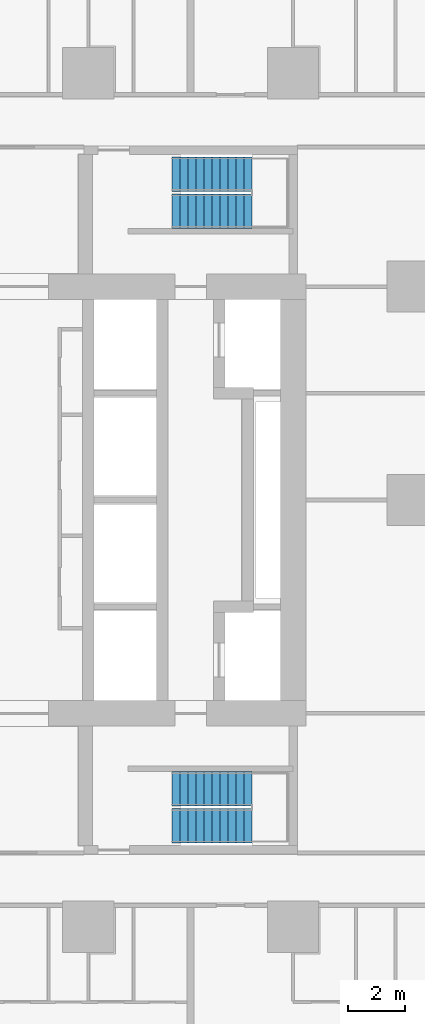
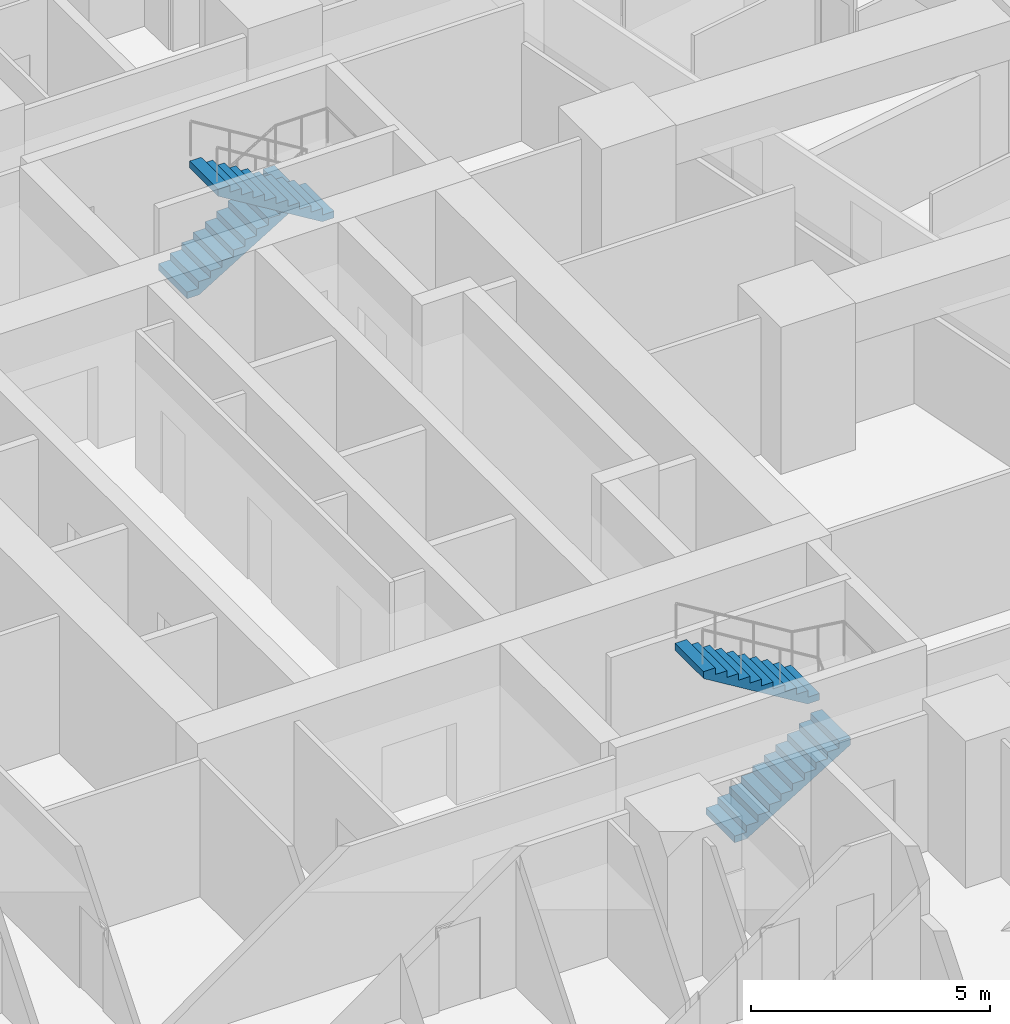
# One storey, part 15 of 18: 4 stair flights, 2 elements without a shape of their own.
"""IFC4 building model written with IfcOpenShell, lengths in metres."""

from ifc_helpers import new_model, si_unit, direction, frame, origin, place, context, subcontext, project, spatial, triangles, material, type_object, element, aggregate, save


model = new_model("IFC4")

# Units and contexts
model_context = context("Model", 3, precision=1e-05, world=origin(), true_north=direction((0.0, 1.0)))
body_context = subcontext(model_context, "Body", "Model", "MODEL_VIEW")
ifc_project = project(units=[si_unit("LENGTHUNIT", "METRE"), si_unit("AREAUNIT", "SQUARE_METRE"), si_unit("VOLUMEUNIT", "CUBIC_METRE"), si_unit("PLANEANGLEUNIT", "RADIAN"), si_unit("MASSUNIT", "GRAM", prefix="KILO")], contexts=[model_context])

# Site, building, storey
site_placement = place(None, origin())
site = spatial("IfcSite", under=ifc_project, at=site_placement, CompositionType="ELEMENT")
building_placement = place(site_placement, origin())
building = spatial("IfcBuilding", under=site, at=building_placement, Name="Sheger Commons Tower", CompositionType="ELEMENT")
storey_placement = place(building_placement, frame((0.0, 0.0, 31.25)))
storey = spatial("IfcBuildingStorey", under=building, at=storey_placement, Name="L07", CompositionType="ELEMENT", Elevation=31.25)

# Stair, stair flights
ifc_material_1 = material(Name="Concrete C35/45", Category="concrete")
stair_type = type_object("IfcStairType", Name="HALF-TURN STAIR 1200 RISE 3750", PredefinedType="HALF_TURN_STAIR", material=ifc_material_1)
stair_1_placement = place(storey_placement, origin())
stair_1 = element("IfcStair", 1, at=stair_1_placement, inside=storey, type_object=stair_type, Name="Stair S1 L07", PredefinedType="HALF_TURN_STAIR")
ifc_material_2 = material(Name="Concrete C35/45", Category="concrete")
stair_flight_type = type_object("IfcStairFlightType", Name="STAIR FLIGHT 1200 11 RISERS OF 170", PredefinedType="STRAIGHT", material=ifc_material_2)
stair_flight_1_placement = place(storey_placement, frame((24.550048828125, 11.050048828125, 0.0), z_axis=(0.0, 0.0, 1.0), x_axis=(1.0, 0.0, 0.0)))
stair_flight_1 = element("IfcStairFlight", 2, at=stair_flight_1_placement, type_object=stair_flight_type, Name="S1 flight 1", NumberOfRisers=11, NumberOfTreads=10, PredefinedType="STRAIGHT", RiserHeight=0.170454545, TreadLength=0.28, context=body_context, shape_type="Tessellation", body=[
    triangles([(0.0, 0.5999755859375, 0.0), (0.0, 0.5999755859375, 0.17041015625), (0.280029296875, 0.5999755859375, 0.17041015625), (0.280029296875, 0.5999755859375, 0.3408203125), (0.56005859375, 0.5999755859375, 0.3408203125), (0.56005859375, 0.5999755859375, 0.511474609375), (0.840087890625, 0.5999755859375, 0.511474609375), (0.840087890625, 0.5999755859375, 0.681884765625), (1.1201171875, 0.5999755859375, 0.681884765625), (1.1201171875, 0.5999755859375, 0.852294921875), (1.39990234375, 0.5999755859375, 0.852294921875), (1.39990234375, 0.5999755859375, 1.022705078125), (1.679931640625, 0.5999755859375, 1.022705078125), (1.679931640625, 0.5999755859375, 1.193115234375), (1.9599609375, 0.5999755859375, 1.193115234375), (1.9599609375, 0.5999755859375, 1.363525390625), (2.239990234375, 0.5999755859375, 1.363525390625), (2.239990234375, 0.5999755859375, 1.5341796875), (2.52001953125, 0.5999755859375, 1.5341796875), (2.52001953125, 0.5999755859375, 1.70458984375), (2.800048828125, 0.5999755859375, 1.70458984375), (2.800048828125, 0.5999755859375, 1.529052734375), (0.288330078125, 0.5999755859375, 0.0), (0.0, -0.5999755859375, 0.0), (0.0, -0.5999755859375, 0.17041015625), (0.280029296875, -0.5999755859375, 0.17041015625), (0.280029296875, -0.5999755859375, 0.3408203125), (0.56005859375, -0.5999755859375, 0.3408203125), (0.56005859375, -0.5999755859375, 0.511474609375), (0.840087890625, -0.5999755859375, 0.511474609375), (0.840087890625, -0.5999755859375, 0.681884765625), (1.1201171875, -0.5999755859375, 0.681884765625), (1.1201171875, -0.5999755859375, 0.852294921875), (1.39990234375, -0.5999755859375, 0.852294921875), (1.39990234375, -0.5999755859375, 1.022705078125), (1.679931640625, -0.5999755859375, 1.022705078125), (1.679931640625, -0.5999755859375, 1.193115234375), (1.9599609375, -0.5999755859375, 1.193115234375), (1.9599609375, -0.5999755859375, 1.363525390625), (2.239990234375, -0.5999755859375, 1.363525390625), (2.239990234375, -0.5999755859375, 1.5341796875), (2.52001953125, -0.5999755859375, 1.5341796875), (2.52001953125, -0.5999755859375, 1.70458984375), (2.800048828125, -0.5999755859375, 1.70458984375), (2.800048828125, -0.5999755859375, 1.529052734375), (0.288330078125, -0.5999755859375, 0.0), (0.0, 0.0, 0.085205078125), (0.1400146484375, 0.0, 0.17041015625), (0.280029296875, 0.0, 0.255615234375), (0.4200439453125, 0.0, 0.3408203125), (0.56005859375, 0.0, 0.4261474609375), (0.7000732421875, 0.0, 0.511474609375), (0.840087890625, 0.0, 0.5966796875), (0.9801025390625, 0.0, 0.681884765625), (1.1201171875, 0.0, 0.76708984375), (1.260009765625, 0.0, 0.852294921875), (1.39990234375, 0.0, 0.9375), (1.5399169921875, 0.0, 1.022705078125), (1.679931640625, 0.0, 1.10791015625), (1.8199462890625, 0.0, 1.193115234375), (1.9599609375, 0.0, 1.2783203125), (2.0999755859375, 0.0, 1.363525390625), (2.239990234375, 0.0, 1.4488525390625), (2.3800048828125, 0.0, 1.5341796875), (2.52001953125, 0.0, 1.619384765625), (2.6600341796875, 0.0, 1.70458984375), (2.800048828125, 0.0, 1.6168212890625), (1.544189453125, 0.0, 0.7645263671875), (0.1441650390625, 0.0, 0.0)], [[1, 22, 23], [24, 46, 45], [22, 20, 21], [45, 44, 43], [22, 19, 20], [45, 43, 42], [22, 18, 19], [45, 42, 41], [22, 17, 18], [45, 41, 40], [17, 15, 16], [40, 39, 38], [22, 15, 17], [45, 40, 38], [15, 13, 14], [38, 37, 36], [22, 13, 15], [45, 38, 36], [13, 11, 12], [36, 35, 34], [22, 11, 13], [45, 36, 34], [11, 9, 10], [34, 33, 32], [22, 9, 11], [45, 34, 32], [9, 7, 8], [32, 31, 30], [22, 7, 9], [45, 32, 30], [7, 5, 6], [30, 29, 28], [22, 5, 7], [45, 30, 28], [5, 3, 4], [28, 27, 26], [22, 3, 5], [45, 28, 26], [1, 3, 22], [24, 45, 26], [3, 1, 2], [26, 25, 24], [1, 47, 2], [2, 47, 25], [25, 47, 24], [24, 47, 1], [2, 48, 3], [3, 48, 26], [26, 48, 25], [25, 48, 2], [3, 49, 4], [4, 49, 27], [27, 49, 26], [26, 49, 3], [4, 50, 5], [5, 50, 28], [28, 50, 27], [27, 50, 4], [5, 51, 6], [6, 51, 29], [29, 51, 28], [28, 51, 5], [6, 52, 7], [7, 52, 30], [30, 52, 29], [29, 52, 6], [7, 53, 8], [8, 53, 31], [31, 53, 30], [30, 53, 7], [8, 54, 9], [9, 54, 32], [32, 54, 31], [31, 54, 8], [9, 55, 10], [10, 55, 33], [33, 55, 32], [32, 55, 9], [10, 56, 11], [11, 56, 34], [34, 56, 33], [33, 56, 10], [11, 57, 12], [12, 57, 35], [35, 57, 34], [34, 57, 11], [12, 58, 13], [13, 58, 36], [36, 58, 35], [35, 58, 12], [13, 59, 14], [14, 59, 37], [37, 59, 36], [36, 59, 13], [14, 60, 15], [15, 60, 38], [38, 60, 37], [37, 60, 14], [15, 61, 16], [16, 61, 39], [39, 61, 38], [38, 61, 15], [16, 62, 17], [17, 62, 40], [40, 62, 39], [39, 62, 16], [17, 63, 18], [18, 63, 41], [41, 63, 40], [40, 63, 17], [18, 64, 19], [19, 64, 42], [42, 64, 41], [41, 64, 18], [19, 65, 20], [20, 65, 43], [43, 65, 42], [42, 65, 19], [20, 66, 21], [21, 66, 44], [44, 66, 43], [43, 66, 20], [21, 67, 22], [22, 67, 45], [45, 67, 44], [44, 67, 21], [22, 68, 23], [23, 68, 46], [46, 68, 45], [45, 68, 22], [23, 69, 1], [1, 69, 24], [24, 69, 46], [46, 69, 23]], closed=True),
])
stair_flight_2_placement = place(storey_placement, frame((27.35009765625, 12.35009765625, 1.875), z_axis=(0.0, 0.0, 1.0), x_axis=(-1.0, 0.0, 0.0)))
stair_flight_2 = element("IfcStairFlight", 3, at=stair_flight_2_placement, type_object=stair_flight_type, Name="S1 flight 2", NumberOfRisers=11, NumberOfTreads=10, PredefinedType="STRAIGHT", RiserHeight=0.170454545, TreadLength=0.28, context=body_context, shape_type="Tessellation", body=[
    triangles([(0.0, 0.5999755859375, 0.0), (0.0, 0.5999755859375, 0.17041015625), (0.280029296875, 0.5999755859375, 0.17041015625), (0.280029296875, 0.5999755859375, 0.3408203125), (0.56005859375, 0.5999755859375, 0.3408203125), (0.56005859375, 0.5999755859375, 0.511474609375), (0.840087890625, 0.5999755859375, 0.511474609375), (0.840087890625, 0.5999755859375, 0.681884765625), (1.1201171875, 0.5999755859375, 0.681884765625), (1.1201171875, 0.5999755859375, 0.852294921875), (1.39990234375, 0.5999755859375, 0.852294921875), (1.39990234375, 0.5999755859375, 1.022705078125), (1.679931640625, 0.5999755859375, 1.022705078125), (1.679931640625, 0.5999755859375, 1.193115234375), (1.9599609375, 0.5999755859375, 1.193115234375), (1.9599609375, 0.5999755859375, 1.363525390625), (2.239990234375, 0.5999755859375, 1.363525390625), (2.239990234375, 0.5999755859375, 1.5341796875), (2.52001953125, 0.5999755859375, 1.5341796875), (2.52001953125, 0.5999755859375, 1.70458984375), (2.800048828125, 0.5999755859375, 1.70458984375), (2.800048828125, 0.5999755859375, 1.529052734375), (0.288330078125, 0.5999755859375, 0.0), (0.0, -0.5999755859375, 0.0), (0.0, -0.5999755859375, 0.17041015625), (0.280029296875, -0.5999755859375, 0.17041015625), (0.280029296875, -0.5999755859375, 0.3408203125), (0.56005859375, -0.5999755859375, 0.3408203125), (0.56005859375, -0.5999755859375, 0.511474609375), (0.840087890625, -0.5999755859375, 0.511474609375), (0.840087890625, -0.5999755859375, 0.681884765625), (1.1201171875, -0.5999755859375, 0.681884765625), (1.1201171875, -0.5999755859375, 0.852294921875), (1.39990234375, -0.5999755859375, 0.852294921875), (1.39990234375, -0.5999755859375, 1.022705078125), (1.679931640625, -0.5999755859375, 1.022705078125), (1.679931640625, -0.5999755859375, 1.193115234375), (1.9599609375, -0.5999755859375, 1.193115234375), (1.9599609375, -0.5999755859375, 1.363525390625), (2.239990234375, -0.5999755859375, 1.363525390625), (2.239990234375, -0.5999755859375, 1.5341796875), (2.52001953125, -0.5999755859375, 1.5341796875), (2.52001953125, -0.5999755859375, 1.70458984375), (2.800048828125, -0.5999755859375, 1.70458984375), (2.800048828125, -0.5999755859375, 1.529052734375), (0.288330078125, -0.5999755859375, 0.0), (0.0, 0.0, 0.085205078125), (0.1400146484375, 0.0, 0.17041015625), (0.280029296875, 0.0, 0.255615234375), (0.4200439453125, 0.0, 0.3408203125), (0.56005859375, 0.0, 0.4261474609375), (0.7000732421875, 0.0, 0.511474609375), (0.840087890625, 0.0, 0.5966796875), (0.9801025390625, 0.0, 0.681884765625), (1.1201171875, 0.0, 0.76708984375), (1.260009765625, 0.0, 0.852294921875), (1.39990234375, 0.0, 0.9375), (1.5399169921875, 0.0, 1.022705078125), (1.679931640625, 0.0, 1.10791015625), (1.8199462890625, 0.0, 1.193115234375), (1.9599609375, 0.0, 1.2783203125), (2.0999755859375, 0.0, 1.363525390625), (2.239990234375, 0.0, 1.4488525390625), (2.3800048828125, 0.0, 1.5341796875), (2.52001953125, 0.0, 1.619384765625), (2.6600341796875, 0.0, 1.70458984375), (2.800048828125, 0.0, 1.6168212890625), (1.544189453125, 0.0, 0.7645263671875), (0.1441650390625, 0.0, 0.0)], [[1, 22, 23], [24, 46, 45], [22, 20, 21], [45, 44, 43], [22, 19, 20], [45, 43, 42], [22, 18, 19], [45, 42, 41], [22, 17, 18], [45, 41, 40], [17, 15, 16], [40, 39, 38], [22, 15, 17], [45, 40, 38], [15, 13, 14], [38, 37, 36], [22, 13, 15], [45, 38, 36], [13, 11, 12], [36, 35, 34], [22, 11, 13], [45, 36, 34], [11, 9, 10], [34, 33, 32], [22, 9, 11], [45, 34, 32], [9, 7, 8], [32, 31, 30], [22, 7, 9], [45, 32, 30], [7, 5, 6], [30, 29, 28], [22, 5, 7], [45, 30, 28], [5, 3, 4], [28, 27, 26], [22, 3, 5], [45, 28, 26], [1, 3, 22], [24, 45, 26], [3, 1, 2], [26, 25, 24], [1, 47, 2], [2, 47, 25], [25, 47, 24], [24, 47, 1], [2, 48, 3], [3, 48, 26], [26, 48, 25], [25, 48, 2], [3, 49, 4], [4, 49, 27], [27, 49, 26], [26, 49, 3], [4, 50, 5], [5, 50, 28], [28, 50, 27], [27, 50, 4], [5, 51, 6], [6, 51, 29], [29, 51, 28], [28, 51, 5], [6, 52, 7], [7, 52, 30], [30, 52, 29], [29, 52, 6], [7, 53, 8], [8, 53, 31], [31, 53, 30], [30, 53, 7], [8, 54, 9], [9, 54, 32], [32, 54, 31], [31, 54, 8], [9, 55, 10], [10, 55, 33], [33, 55, 32], [32, 55, 9], [10, 56, 11], [11, 56, 34], [34, 56, 33], [33, 56, 10], [11, 57, 12], [12, 57, 35], [35, 57, 34], [34, 57, 11], [12, 58, 13], [13, 58, 36], [36, 58, 35], [35, 58, 12], [13, 59, 14], [14, 59, 37], [37, 59, 36], [36, 59, 13], [14, 60, 15], [15, 60, 38], [38, 60, 37], [37, 60, 14], [15, 61, 16], [16, 61, 39], [39, 61, 38], [38, 61, 15], [16, 62, 17], [17, 62, 40], [40, 62, 39], [39, 62, 16], [17, 63, 18], [18, 63, 41], [41, 63, 40], [40, 63, 17], [18, 64, 19], [19, 64, 42], [42, 64, 41], [41, 64, 18], [19, 65, 20], [20, 65, 43], [43, 65, 42], [42, 65, 19], [20, 66, 21], [21, 66, 44], [44, 66, 43], [43, 66, 20], [21, 67, 22], [22, 67, 45], [45, 67, 44], [44, 67, 21], [22, 68, 23], [23, 68, 46], [46, 68, 45], [45, 68, 22], [23, 69, 1], [1, 69, 24], [24, 69, 46], [46, 69, 23]], closed=True),
])
aggregate(stair_1, [stair_flight_1, stair_flight_2])

stair_2_placement = place(storey_placement, origin())
stair_2 = element("IfcStair", 4, at=stair_2_placement, inside=storey, type_object=stair_type, Name="Stair S2 L07", PredefinedType="HALF_TURN_STAIR")
stair_flight_3_placement = place(storey_placement, frame((24.550048828125, 33.949951171875, 0.0), z_axis=(0.0, 0.0, 1.0), x_axis=(1.0, 0.0, 0.0)))
stair_flight_3 = element("IfcStairFlight", 5, at=stair_flight_3_placement, type_object=stair_flight_type, Name="S2 flight 1", NumberOfRisers=11, NumberOfTreads=10, PredefinedType="STRAIGHT", RiserHeight=0.170454545, TreadLength=0.28, context=body_context, shape_type="Tessellation", body=[
    triangles([(0.0, 0.5999755859375, 0.0), (0.0, 0.5999755859375, 0.17041015625), (0.280029296875, 0.5999755859375, 0.17041015625), (0.280029296875, 0.5999755859375, 0.3408203125), (0.56005859375, 0.5999755859375, 0.3408203125), (0.56005859375, 0.5999755859375, 0.511474609375), (0.840087890625, 0.5999755859375, 0.511474609375), (0.840087890625, 0.5999755859375, 0.681884765625), (1.1201171875, 0.5999755859375, 0.681884765625), (1.1201171875, 0.5999755859375, 0.852294921875), (1.39990234375, 0.5999755859375, 0.852294921875), (1.39990234375, 0.5999755859375, 1.022705078125), (1.679931640625, 0.5999755859375, 1.022705078125), (1.679931640625, 0.5999755859375, 1.193115234375), (1.9599609375, 0.5999755859375, 1.193115234375), (1.9599609375, 0.5999755859375, 1.363525390625), (2.239990234375, 0.5999755859375, 1.363525390625), (2.239990234375, 0.5999755859375, 1.5341796875), (2.52001953125, 0.5999755859375, 1.5341796875), (2.52001953125, 0.5999755859375, 1.70458984375), (2.800048828125, 0.5999755859375, 1.70458984375), (2.800048828125, 0.5999755859375, 1.529052734375), (0.288330078125, 0.5999755859375, 0.0), (0.0, -0.5999755859375, 0.0), (0.0, -0.5999755859375, 0.17041015625), (0.280029296875, -0.5999755859375, 0.17041015625), (0.280029296875, -0.5999755859375, 0.3408203125), (0.56005859375, -0.5999755859375, 0.3408203125), (0.56005859375, -0.5999755859375, 0.511474609375), (0.840087890625, -0.5999755859375, 0.511474609375), (0.840087890625, -0.5999755859375, 0.681884765625), (1.1201171875, -0.5999755859375, 0.681884765625), (1.1201171875, -0.5999755859375, 0.852294921875), (1.39990234375, -0.5999755859375, 0.852294921875), (1.39990234375, -0.5999755859375, 1.022705078125), (1.679931640625, -0.5999755859375, 1.022705078125), (1.679931640625, -0.5999755859375, 1.193115234375), (1.9599609375, -0.5999755859375, 1.193115234375), (1.9599609375, -0.5999755859375, 1.363525390625), (2.239990234375, -0.5999755859375, 1.363525390625), (2.239990234375, -0.5999755859375, 1.5341796875), (2.52001953125, -0.5999755859375, 1.5341796875), (2.52001953125, -0.5999755859375, 1.70458984375), (2.800048828125, -0.5999755859375, 1.70458984375), (2.800048828125, -0.5999755859375, 1.529052734375), (0.288330078125, -0.5999755859375, 0.0), (0.0, 0.0, 0.085205078125), (0.1400146484375, 0.0, 0.17041015625), (0.280029296875, 0.0, 0.255615234375), (0.4200439453125, 0.0, 0.3408203125), (0.56005859375, 0.0, 0.4261474609375), (0.7000732421875, 0.0, 0.511474609375), (0.840087890625, 0.0, 0.5966796875), (0.9801025390625, 0.0, 0.681884765625), (1.1201171875, 0.0, 0.76708984375), (1.260009765625, 0.0, 0.852294921875), (1.39990234375, 0.0, 0.9375), (1.5399169921875, 0.0, 1.022705078125), (1.679931640625, 0.0, 1.10791015625), (1.8199462890625, 0.0, 1.193115234375), (1.9599609375, 0.0, 1.2783203125), (2.0999755859375, 0.0, 1.363525390625), (2.239990234375, 0.0, 1.4488525390625), (2.3800048828125, 0.0, 1.5341796875), (2.52001953125, 0.0, 1.619384765625), (2.6600341796875, 0.0, 1.70458984375), (2.800048828125, 0.0, 1.6168212890625), (1.544189453125, 0.0, 0.7645263671875), (0.1441650390625, 0.0, 0.0)], [[1, 22, 23], [24, 46, 45], [22, 20, 21], [45, 44, 43], [22, 19, 20], [45, 43, 42], [22, 18, 19], [45, 42, 41], [22, 17, 18], [45, 41, 40], [17, 15, 16], [40, 39, 38], [22, 15, 17], [45, 40, 38], [15, 13, 14], [38, 37, 36], [22, 13, 15], [45, 38, 36], [13, 11, 12], [36, 35, 34], [22, 11, 13], [45, 36, 34], [11, 9, 10], [34, 33, 32], [22, 9, 11], [45, 34, 32], [9, 7, 8], [32, 31, 30], [22, 7, 9], [45, 32, 30], [7, 5, 6], [30, 29, 28], [22, 5, 7], [45, 30, 28], [5, 3, 4], [28, 27, 26], [22, 3, 5], [45, 28, 26], [1, 3, 22], [24, 45, 26], [3, 1, 2], [26, 25, 24], [1, 47, 2], [2, 47, 25], [25, 47, 24], [24, 47, 1], [2, 48, 3], [3, 48, 26], [26, 48, 25], [25, 48, 2], [3, 49, 4], [4, 49, 27], [27, 49, 26], [26, 49, 3], [4, 50, 5], [5, 50, 28], [28, 50, 27], [27, 50, 4], [5, 51, 6], [6, 51, 29], [29, 51, 28], [28, 51, 5], [6, 52, 7], [7, 52, 30], [30, 52, 29], [29, 52, 6], [7, 53, 8], [8, 53, 31], [31, 53, 30], [30, 53, 7], [8, 54, 9], [9, 54, 32], [32, 54, 31], [31, 54, 8], [9, 55, 10], [10, 55, 33], [33, 55, 32], [32, 55, 9], [10, 56, 11], [11, 56, 34], [34, 56, 33], [33, 56, 10], [11, 57, 12], [12, 57, 35], [35, 57, 34], [34, 57, 11], [12, 58, 13], [13, 58, 36], [36, 58, 35], [35, 58, 12], [13, 59, 14], [14, 59, 37], [37, 59, 36], [36, 59, 13], [14, 60, 15], [15, 60, 38], [38, 60, 37], [37, 60, 14], [15, 61, 16], [16, 61, 39], [39, 61, 38], [38, 61, 15], [16, 62, 17], [17, 62, 40], [40, 62, 39], [39, 62, 16], [17, 63, 18], [18, 63, 41], [41, 63, 40], [40, 63, 17], [18, 64, 19], [19, 64, 42], [42, 64, 41], [41, 64, 18], [19, 65, 20], [20, 65, 43], [43, 65, 42], [42, 65, 19], [20, 66, 21], [21, 66, 44], [44, 66, 43], [43, 66, 20], [21, 67, 22], [22, 67, 45], [45, 67, 44], [44, 67, 21], [22, 68, 23], [23, 68, 46], [46, 68, 45], [45, 68, 22], [23, 69, 1], [1, 69, 24], [24, 69, 46], [46, 69, 23]], closed=True),
])
stair_flight_4_placement = place(storey_placement, frame((27.35009765625, 32.64990234375, 1.875), z_axis=(0.0, 0.0, 1.0), x_axis=(-1.0, 0.0, 0.0)))
stair_flight_4 = element("IfcStairFlight", 6, at=stair_flight_4_placement, type_object=stair_flight_type, Name="S2 flight 2", NumberOfRisers=11, NumberOfTreads=10, PredefinedType="STRAIGHT", RiserHeight=0.170454545, TreadLength=0.28, context=body_context, shape_type="Tessellation", body=[
    triangles([(0.0, 0.5999755859375, 0.0), (0.0, 0.5999755859375, 0.17041015625), (0.280029296875, 0.5999755859375, 0.17041015625), (0.280029296875, 0.5999755859375, 0.3408203125), (0.56005859375, 0.5999755859375, 0.3408203125), (0.56005859375, 0.5999755859375, 0.511474609375), (0.840087890625, 0.5999755859375, 0.511474609375), (0.840087890625, 0.5999755859375, 0.681884765625), (1.1201171875, 0.5999755859375, 0.681884765625), (1.1201171875, 0.5999755859375, 0.852294921875), (1.39990234375, 0.5999755859375, 0.852294921875), (1.39990234375, 0.5999755859375, 1.022705078125), (1.679931640625, 0.5999755859375, 1.022705078125), (1.679931640625, 0.5999755859375, 1.193115234375), (1.9599609375, 0.5999755859375, 1.193115234375), (1.9599609375, 0.5999755859375, 1.363525390625), (2.239990234375, 0.5999755859375, 1.363525390625), (2.239990234375, 0.5999755859375, 1.5341796875), (2.52001953125, 0.5999755859375, 1.5341796875), (2.52001953125, 0.5999755859375, 1.70458984375), (2.800048828125, 0.5999755859375, 1.70458984375), (2.800048828125, 0.5999755859375, 1.529052734375), (0.288330078125, 0.5999755859375, 0.0), (0.0, -0.5999755859375, 0.0), (0.0, -0.5999755859375, 0.17041015625), (0.280029296875, -0.5999755859375, 0.17041015625), (0.280029296875, -0.5999755859375, 0.3408203125), (0.56005859375, -0.5999755859375, 0.3408203125), (0.56005859375, -0.5999755859375, 0.511474609375), (0.840087890625, -0.5999755859375, 0.511474609375), (0.840087890625, -0.5999755859375, 0.681884765625), (1.1201171875, -0.5999755859375, 0.681884765625), (1.1201171875, -0.5999755859375, 0.852294921875), (1.39990234375, -0.5999755859375, 0.852294921875), (1.39990234375, -0.5999755859375, 1.022705078125), (1.679931640625, -0.5999755859375, 1.022705078125), (1.679931640625, -0.5999755859375, 1.193115234375), (1.9599609375, -0.5999755859375, 1.193115234375), (1.9599609375, -0.5999755859375, 1.363525390625), (2.239990234375, -0.5999755859375, 1.363525390625), (2.239990234375, -0.5999755859375, 1.5341796875), (2.52001953125, -0.5999755859375, 1.5341796875), (2.52001953125, -0.5999755859375, 1.70458984375), (2.800048828125, -0.5999755859375, 1.70458984375), (2.800048828125, -0.5999755859375, 1.529052734375), (0.288330078125, -0.5999755859375, 0.0), (0.0, 0.0, 0.085205078125), (0.1400146484375, 0.0, 0.17041015625), (0.280029296875, 0.0, 0.255615234375), (0.4200439453125, 0.0, 0.3408203125), (0.56005859375, 0.0, 0.4261474609375), (0.7000732421875, 0.0, 0.511474609375), (0.840087890625, 0.0, 0.5966796875), (0.9801025390625, 0.0, 0.681884765625), (1.1201171875, 0.0, 0.76708984375), (1.260009765625, 0.0, 0.852294921875), (1.39990234375, 0.0, 0.9375), (1.5399169921875, 0.0, 1.022705078125), (1.679931640625, 0.0, 1.10791015625), (1.8199462890625, 0.0, 1.193115234375), (1.9599609375, 0.0, 1.2783203125), (2.0999755859375, 0.0, 1.363525390625), (2.239990234375, 0.0, 1.4488525390625), (2.3800048828125, 0.0, 1.5341796875), (2.52001953125, 0.0, 1.619384765625), (2.6600341796875, 0.0, 1.70458984375), (2.800048828125, 0.0, 1.6168212890625), (1.544189453125, 0.0, 0.7645263671875), (0.1441650390625, 0.0, 0.0)], [[1, 22, 23], [24, 46, 45], [22, 20, 21], [45, 44, 43], [22, 19, 20], [45, 43, 42], [22, 18, 19], [45, 42, 41], [22, 17, 18], [45, 41, 40], [17, 15, 16], [40, 39, 38], [22, 15, 17], [45, 40, 38], [15, 13, 14], [38, 37, 36], [22, 13, 15], [45, 38, 36], [13, 11, 12], [36, 35, 34], [22, 11, 13], [45, 36, 34], [11, 9, 10], [34, 33, 32], [22, 9, 11], [45, 34, 32], [9, 7, 8], [32, 31, 30], [22, 7, 9], [45, 32, 30], [7, 5, 6], [30, 29, 28], [22, 5, 7], [45, 30, 28], [5, 3, 4], [28, 27, 26], [22, 3, 5], [45, 28, 26], [1, 3, 22], [24, 45, 26], [3, 1, 2], [26, 25, 24], [1, 47, 2], [2, 47, 25], [25, 47, 24], [24, 47, 1], [2, 48, 3], [3, 48, 26], [26, 48, 25], [25, 48, 2], [3, 49, 4], [4, 49, 27], [27, 49, 26], [26, 49, 3], [4, 50, 5], [5, 50, 28], [28, 50, 27], [27, 50, 4], [5, 51, 6], [6, 51, 29], [29, 51, 28], [28, 51, 5], [6, 52, 7], [7, 52, 30], [30, 52, 29], [29, 52, 6], [7, 53, 8], [8, 53, 31], [31, 53, 30], [30, 53, 7], [8, 54, 9], [9, 54, 32], [32, 54, 31], [31, 54, 8], [9, 55, 10], [10, 55, 33], [33, 55, 32], [32, 55, 9], [10, 56, 11], [11, 56, 34], [34, 56, 33], [33, 56, 10], [11, 57, 12], [12, 57, 35], [35, 57, 34], [34, 57, 11], [12, 58, 13], [13, 58, 36], [36, 58, 35], [35, 58, 12], [13, 59, 14], [14, 59, 37], [37, 59, 36], [36, 59, 13], [14, 60, 15], [15, 60, 38], [38, 60, 37], [37, 60, 14], [15, 61, 16], [16, 61, 39], [39, 61, 38], [38, 61, 15], [16, 62, 17], [17, 62, 40], [40, 62, 39], [39, 62, 16], [17, 63, 18], [18, 63, 41], [41, 63, 40], [40, 63, 17], [18, 64, 19], [19, 64, 42], [42, 64, 41], [41, 64, 18], [19, 65, 20], [20, 65, 43], [43, 65, 42], [42, 65, 19], [20, 66, 21], [21, 66, 44], [44, 66, 43], [43, 66, 20], [21, 67, 22], [22, 67, 45], [45, 67, 44], [44, 67, 21], [22, 68, 23], [23, 68, 46], [46, 68, 45], [45, 68, 22], [23, 69, 1], [1, 69, 24], [24, 69, 46], [46, 69, 23]], closed=True),
])
aggregate(stair_2, [stair_flight_3, stair_flight_4])

save(model, "model.ifc")
